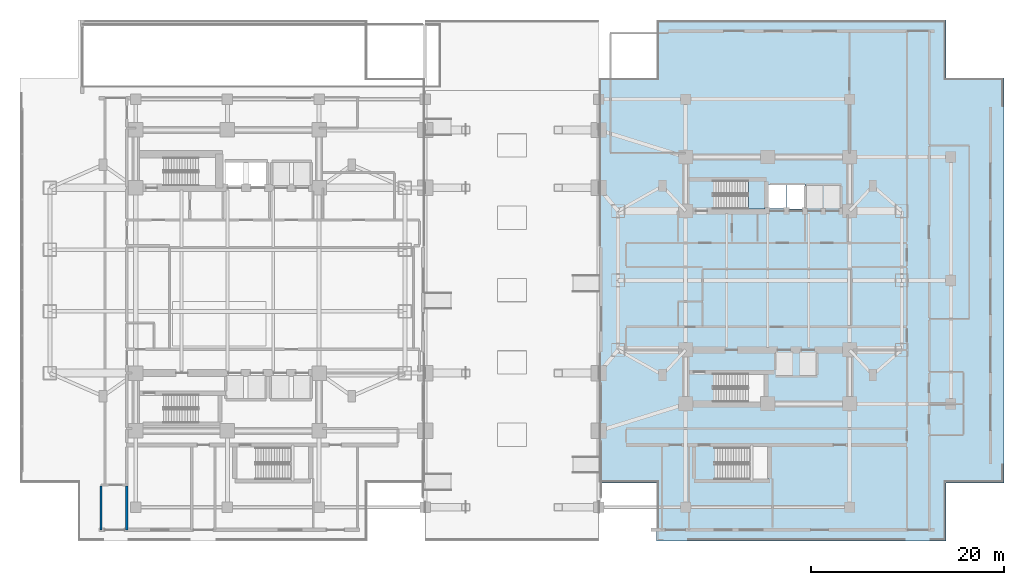
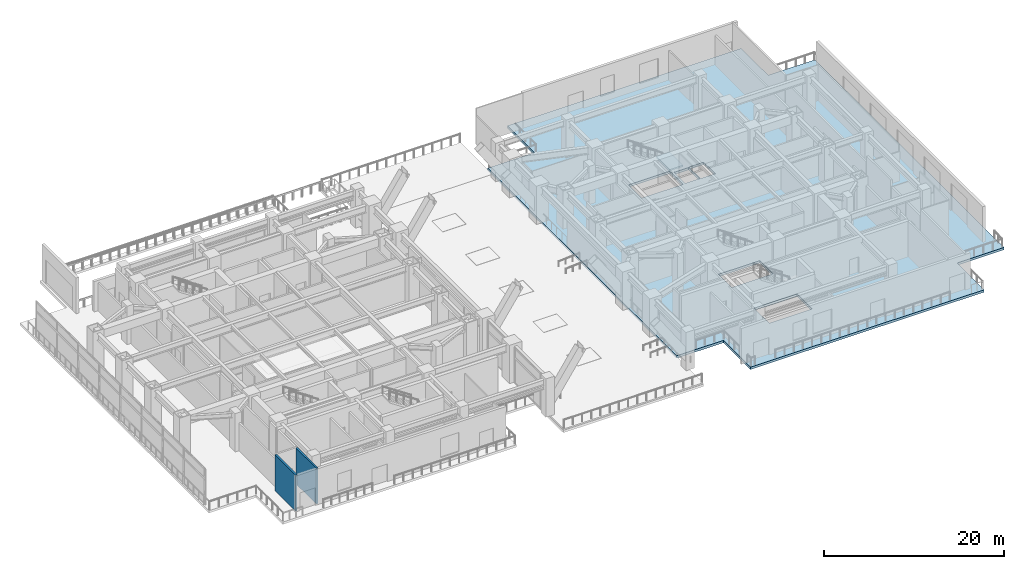
# One storey, part 9 of 27: 2 slabs, 2 walls, 1 element without a shape of its own.
"""IFC4 building model written with IfcOpenShell, lengths in metres."""

from ifc_helpers import new_model, si_unit, direction, frame, frame_2d, origin, place, context, subcontext, project, spatial, polyline, rectangle, outline, extrude, material, layer, layer_set, type_object, element, aggregate, save


model = new_model("IFC4")

# Units and contexts
model_context = context("Model", 3, precision=1e-05, world=origin(), true_north=direction((0.0, 1.0)))
body_context = subcontext(model_context, "Body", "Model", "MODEL_VIEW")
ifc_project = project(units=[si_unit("LENGTHUNIT", "METRE"), si_unit("AREAUNIT", "SQUARE_METRE"), si_unit("VOLUMEUNIT", "CUBIC_METRE"), si_unit("PLANEANGLEUNIT", "RADIAN"), si_unit("MASSUNIT", "GRAM", prefix="KILO")], contexts=[model_context])

# Site, building, storey
site_placement = place(None, origin())
site = spatial("IfcSite", under=ifc_project, at=site_placement, CompositionType="ELEMENT")
building_placement = place(site_placement, origin())
building = spatial("IfcBuilding", under=site, at=building_placement, Name="Mirazonda Arch Towers", CompositionType="ELEMENT")
storey_placement = place(building_placement, origin())
storey = spatial("IfcBuildingStorey", under=building, at=storey_placement, Name="L00", CompositionType="ELEMENT", Elevation=0.0)

# Stair, slab
ifc_material = material(Name="Concrete C40/50", Category="concrete")
stair_type = type_object("IfcStairType", Name="STAIR-CORE-1400", PredefinedType="HALF_TURN_STAIR", material=ifc_material)
stair_placement = place(storey_placement, origin())
stair = element("IfcStair", 1, at=stair_placement, inside=storey, type_object=stair_type, Name="L00 Protected Exit Stair ST-T2N", PredefinedType="HALF_TURN_STAIR")
ifc_layer_1 = layer(ifc_material, 0.18994140625, Name="SLAB-LANDING-190")
ifc_layer_set_1 = layer_set([ifc_layer_1], Name="Concrete C40/50")
slab_type_1 = type_object("IfcSlabType", Name="SLAB-LANDING-190", PredefinedType="LANDING", material=ifc_layer_set_1)
slab_1_placement = place(storey_placement, frame((0.0, 0.0, 2.39990234375)))
slab_1 = element("IfcSlab", 2, at=slab_1_placement, type_object=slab_type_1, Name="ST-T2N landing 1", PredefinedType="LANDING", context=body_context, shape_type="SweptSolid", body=[
    extrude(outline(polyline([(74.489990234375, 35.419921875), (76.22998046875, 35.419921875), (76.22998046875, 38.360107421875), (74.489990234375, 38.360107421875), (74.489990234375, 35.419921875)])), origin(), (0.0, 0.0, 1.0), 0.2001953125),
])
aggregate(stair, [slab_1])

# Slab
ifc_layer_2 = layer(ifc_material, 0.320068359375, Name="SLAB-POD-320")
ifc_layer_set_2 = layer_set([ifc_layer_2], Name="Concrete C40/50")
slab_type_2 = type_object("IfcSlabType", Name="SLAB-POD-320", PredefinedType="FLOOR", material=ifc_layer_set_2)
slab_2_placement = place(storey_placement, frame((0.0, 0.0, -0.320068359375)))
element("IfcSlab", 3, at=slab_2_placement, inside=storey, type_object=slab_type_2, Name="L00 East Podium Floor Slab", PredefinedType="FLOOR", context=body_context, shape_type="SweptSolid", body=[
    extrude(outline(polyline([(65.0, 1.0), (95.0, 1.0), (95.0, 7.0), (101.0, 7.0), (101.0, 49.0), (95.0, 49.0), (95.0, 55.0), (65.0, 55.0), (65.0, 49.0), (59.0, 49.0), (59.0, 7.0), (65.0, 7.0), (65.0, 1.0)]), holes=[polyline([(78.47998046875, 37.989990234375), (80.360107421875, 37.989990234375), (80.360107421875, 35.409912109375), (78.47998046875, 35.409912109375), (78.47998046875, 37.989990234375)]), polyline([(76.510009765625, 35.4599609375), (76.510009765625, 37.93994140625), (78.389892578125, 37.93994140625), (78.389892578125, 35.4599609375), (76.510009765625, 35.4599609375)]), polyline([(76.60009765625, 7.35009765625), (71.074951171875, 7.35009765625), (71.074951171875, 10.68994140625), (76.60009765625, 10.68994140625), (76.60009765625, 7.35009765625)]), polyline([(76.22998046875, 15.419921875), (70.925048828125, 15.419921875), (70.925048828125, 18.360107421875), (76.22998046875, 18.360107421875), (76.22998046875, 15.419921875)]), polyline([(70.925048828125, 35.419921875), (70.925048828125, 38.360107421875), (76.22998046875, 38.360107421875), (76.22998046875, 35.419921875), (70.925048828125, 35.419921875)])]), origin(), (0.0, 0.0, 1.0), 0.320068359375),
])

# Walls
ifc_layer_3 = layer(ifc_material, 0.219970703125, Name="WALL-FFL-220")
ifc_layer_set_3 = layer_set([ifc_layer_3], Name="Concrete C40/50")
wall_type = type_object("IfcWallType", Name="WALL-FFL-220", PredefinedType="SOLIDWALL", material=ifc_layer_set_3)
for number, where, z_axis, x_axis, name in (
    (4, (7.39990234375, 2.14990234375, 0.0), (0.0, 0.0, 1.0), (0.0, 1.0, 0.0), "L00 Interior Partition 047"),
    (5, (10.068603515625, 2.14990234375, 0.0), (0.0, 0.0, 1.0), (0.0, 1.0, 0.0), "L00 Interior Partition 049"),
):
    element("IfcWall", number, at=place(storey_placement, frame(where, z_axis=z_axis, x_axis=x_axis)), inside=storey, type_object=wall_type, Name=name, PredefinedType="SOLIDWALL", context=body_context, shape_type="SweptSolid", body=[
        extrude(rectangle(XDim=4.530029296875, YDim=0.219970703125, at=frame_2d((2.26513671875, 0.0))), origin(), (0.0, 0.0, 1.0), 4.8798828125),
    ])

save(model, "model.ifc")
